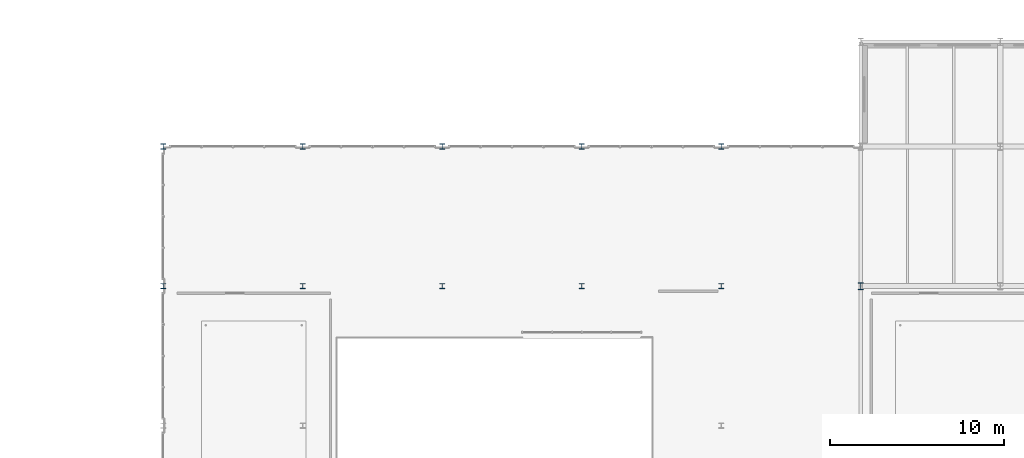
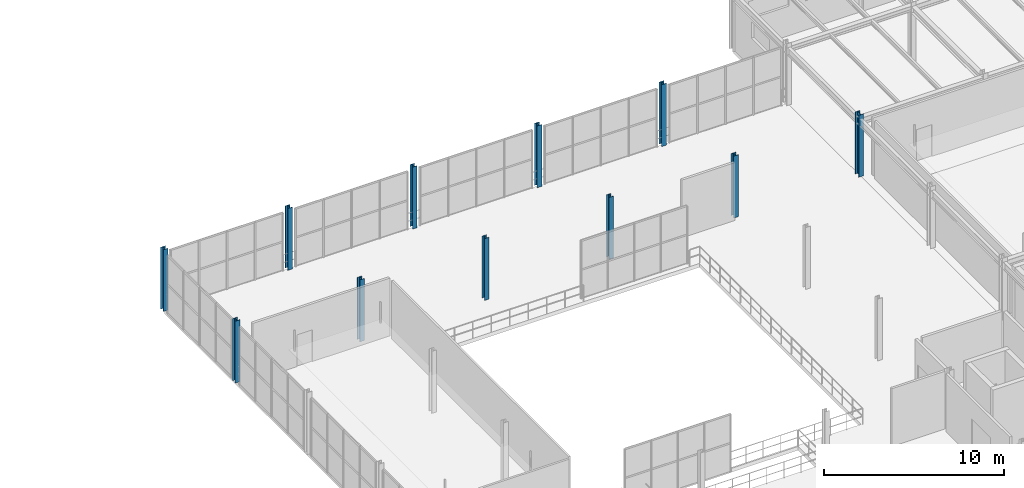
# One storey, part 4 of 67: 11 columns.
"""IFC4 building model written with IfcOpenShell, lengths in metres."""

from ifc_helpers import new_model, si_unit, direction, frame, origin, origin_2d, place, context, subcontext, project, spatial, i_section, extrude, material, material_profile, profile_set, type_object, element, save


model = new_model("IFC4")

# Units and contexts
model_context = context("Model", 3, precision=1e-05, world=origin(), true_north=direction((0.0, 1.0)))
body_context = subcontext(model_context, "Body", "Model", "MODEL_VIEW")
ifc_project = project(units=[si_unit("LENGTHUNIT", "METRE"), si_unit("AREAUNIT", "SQUARE_METRE"), si_unit("VOLUMEUNIT", "CUBIC_METRE"), si_unit("PLANEANGLEUNIT", "RADIAN"), si_unit("MASSUNIT", "GRAM", prefix="KILO")], contexts=[model_context])

# Site, building, storey
site_placement = place(None, origin())
site = spatial("IfcSite", under=ifc_project, at=site_placement, CompositionType="ELEMENT")
building_placement = place(site_placement, origin())
building = spatial("IfcBuilding", under=site, at=building_placement, Name="Sundkrona Museum", CompositionType="ELEMENT")
storey_placement = place(building_placement, frame((0.0, 0.0, 21.800048828125)))
storey = spatial("IfcBuildingStorey", under=building, at=storey_placement, Name="L04", CompositionType="ELEMENT", Elevation=21.800048828125)

# Columns
ifc_material = material(Name="Steel S355J2", Category="steel")
ifc_material_profile_1 = material_profile(ifc_material, i_section(OverallWidth=0.300048828125, OverallDepth=0.300048828125, WebThickness=0.010986328125, FlangeThickness=0.01904296875, FilletRadius=0.027099609375, at=origin_2d()), Name="HEB 300")
ifc_profile_set_1 = profile_set([ifc_material_profile_1], Name="Steel S355J2")
column_type_1 = type_object("IfcColumnType", Name="C-HEB300", PredefinedType="COLUMN", material=ifc_profile_set_1)
for number, where, z_axis, x_axis, name in (
    (1, (80.0, 32.0, 0.0), (0.0, 0.0, 1.0), (1.0, 0.0, 0.0), "L04 Column E/11"),
    (2, (80.0, 40.0, 0.0), (0.0, 0.0, 1.0), (1.0, 0.0, 0.0), "L04 Column F/11"),
    (3, (88.0, 32.0, 0.0), (0.0, 0.0, 1.0), (1.0, 0.0, 0.0), "L04 Column E/12"),
    (4, (88.0, 40.0, 0.0), (0.0, 0.0, 1.0), (1.0, 0.0, 0.0), "L04 Column F/12"),
    (5, (96.0, 32.0, 0.0), (0.0, 0.0, 1.0), (1.0, 0.0, 0.0), "L04 Column E/13"),
    (6, (96.0, 40.0, 0.0), (0.0, 0.0, 1.0), (1.0, 0.0, 0.0), "L04 Column F/13"),
    (7, (104.0, 32.0, 0.0), (0.0, 0.0, 1.0), (1.0, 0.0, 0.0), "L04 Column E/14"),
    (8, (104.0, 40.0, 0.0), (0.0, 0.0, 1.0), (1.0, 0.0, 0.0), "L04 Column F/14"),
    (9, (112.0, 32.0, 0.0), (0.0, 0.0, 1.0), (1.0, 0.0, 0.0), "L04 Column E/15"),
    (10, (112.0, 40.0, 0.0), (0.0, 0.0, 1.0), (1.0, 0.0, 0.0), "L04 Column F/15"),
):
    element("IfcColumn", number, at=place(storey_placement, frame(where, z_axis=z_axis, x_axis=x_axis)), inside=storey, type_object=column_type_1, Name=name, PredefinedType="COLUMN", context=body_context, shape_type="SweptSolid", body=[
        extrude(i_section(OverallWidth=0.300048828125, OverallDepth=0.300048828125, WebThickness=0.010986328125, FlangeThickness=0.01904296875, FilletRadius=0.027099609375, at=origin_2d()), origin(), (0.0, 0.0, 1.0), 4.199951171875),
    ])
ifc_material_profile_2 = material_profile(ifc_material, i_section(OverallWidth=0.300048828125, OverallDepth=0.39990234375, WebThickness=0.013427734375, FlangeThickness=0.02392578125, FilletRadius=0.027099609375, at=origin_2d()), Name="HEB 400")
ifc_profile_set_2 = profile_set([ifc_material_profile_2], Name="Steel S355J2")
column_type_2 = type_object("IfcColumnType", Name="C-HEB400", PredefinedType="COLUMN", material=ifc_profile_set_2)
column_placement = place(storey_placement, frame((120.0, 32.0, 0.0), z_axis=(0.0, 0.0, 1.0), x_axis=(1.0, 0.0, 0.0)))
element("IfcColumn", 11, at=column_placement, inside=storey, type_object=column_type_2, Name="L04 Column E/16", PredefinedType="COLUMN", context=body_context, shape_type="SweptSolid", body=[
    extrude(i_section(OverallWidth=0.300048828125, OverallDepth=0.39990234375, WebThickness=0.013427734375, FlangeThickness=0.02392578125, FilletRadius=0.027099609375, at=origin_2d()), origin(), (0.0, 0.0, 1.0), 4.199951171875),
])

save(model, "model.ifc")
